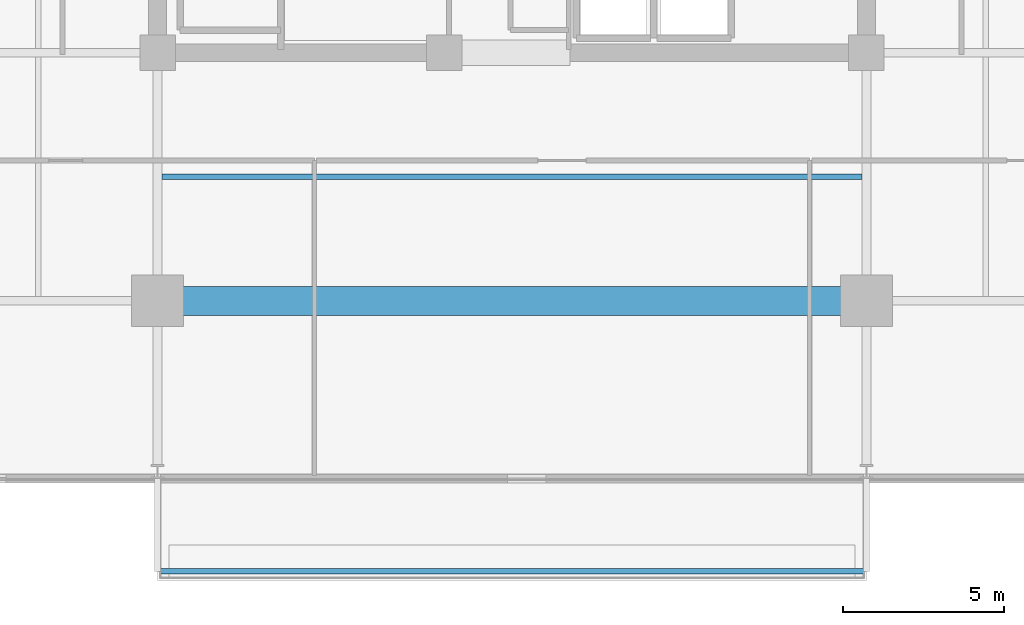
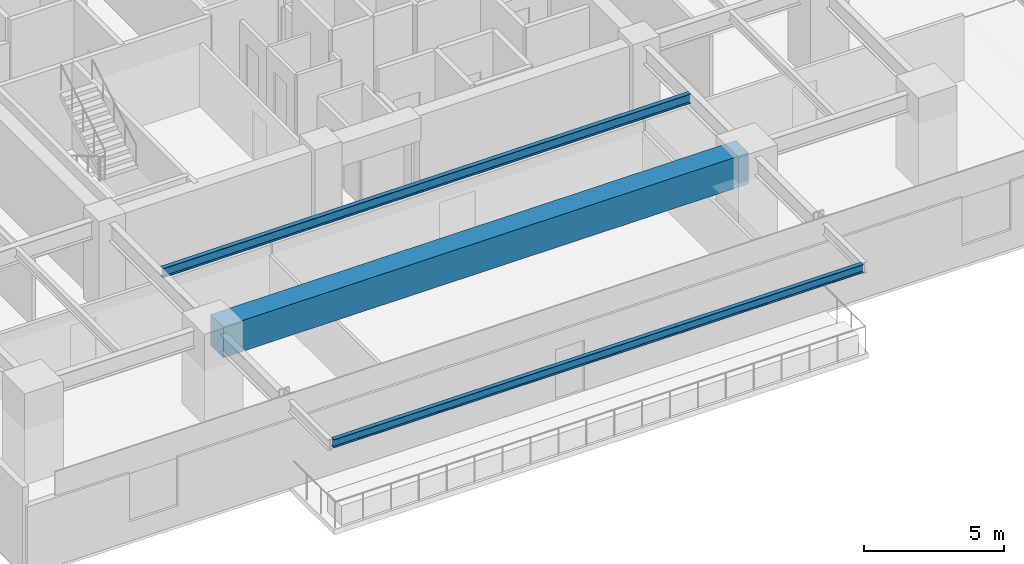
# One storey, part 4 of 21: 3 beams.
"""IFC4 building model written with IfcOpenShell, lengths in metres."""

from ifc_helpers import new_model, si_unit, direction, frame, origin, origin_2d, place, context, subcontext, project, spatial, rectangle, i_section, extrude, material, material_profile, profile_set, type_object, element, save


model = new_model("IFC4")

# Units and contexts
model_context = context("Model", 3, precision=1e-05, world=origin(), true_north=direction((0.0, 1.0)))
body_context = subcontext(model_context, "Body", "Model", "MODEL_VIEW")
ifc_project = project(units=[si_unit("LENGTHUNIT", "METRE"), si_unit("AREAUNIT", "SQUARE_METRE"), si_unit("VOLUMEUNIT", "CUBIC_METRE"), si_unit("PLANEANGLEUNIT", "RADIAN"), si_unit("MASSUNIT", "GRAM", prefix="KILO")], contexts=[model_context])

# Site, building, storey
site_placement = place(None, origin())
site = spatial("IfcSite", under=ifc_project, at=site_placement, CompositionType="ELEMENT")
building_placement = place(site_placement, origin())
building = spatial("IfcBuilding", under=site, at=building_placement, Name="Kovane Verandah Tower", CompositionType="ELEMENT")
storey_placement = place(building_placement, frame((0.0, 0.0, 152.39990234375)))
storey = spatial("IfcBuildingStorey", under=building, at=storey_placement, Name="L35", CompositionType="ELEMENT", Elevation=152.39990234375)

# Beams
ifc_material_1 = material(Name="Concrete C80/95", Category="concrete")
ifc_material_profile_1 = material_profile(ifc_material_1, rectangle(XDim=0.89990234375, YDim=1.35009765625, at=origin_2d()), Name="RCB900x1350")
ifc_profile_set_1 = profile_set([ifc_material_profile_1], Name="Concrete C80/95")
beam_type_1 = type_object("IfcBeamType", Name="BM-TR-900x1350", PredefinedType="BEAM", material=ifc_profile_set_1)
beam_1_placement = place(storey_placement, frame((29.179931640625, 10.800048828125, 3.10009765625), z_axis=(1.0, 0.0, 0.0), x_axis=(0.0, 1.0, 0.0)))
element("IfcBeam", 1, at=beam_1_placement, inside=storey, type_object=beam_type_1, Name="L35 Primary Tower Girder G-RS2", PredefinedType="BEAM", context=body_context, shape_type="SweptSolid", body=[
    extrude(rectangle(XDim=0.89990234375, YDim=1.35009765625, at=origin_2d()), origin(), (0.0, 0.0, 1.0), 21.64013671875),
])
ifc_material_2 = material(Name="Steel S355", Category="steel")
ifc_material_profile_2 = material_profile(ifc_material_2, i_section(OverallWidth=0.179443359375, OverallDepth=0.412841796875, WebThickness=0.009521484375, FlangeThickness=0.01611328125, FilletRadius=0.01025390625, at=origin_2d()), Name="UB406x178x74")
ifc_profile_set_2 = profile_set([ifc_material_profile_2], Name="Steel S355")
beam_type_2 = type_object("IfcBeamType", Name="JST-UB406x74", PredefinedType="JOIST", material=ifc_profile_set_2)
beam_2_placement = place(storey_placement, frame((29.132080078125, 14.64990234375, 3.568603515625), z_axis=(1.0, 0.0, 0.0), x_axis=(0.0, 1.0, 0.0)))
element("IfcBeam", 2, at=beam_2_placement, inside=storey, type_object=beam_type_2, Name="L35 Secondary Composite Joist J-S1", PredefinedType="JOIST", context=body_context, shape_type="SweptSolid", body=[
    extrude(i_section(OverallWidth=0.179443359375, OverallDepth=0.412841796875, WebThickness=0.009521484375, FlangeThickness=0.01611328125, FilletRadius=0.01025390625, at=origin_2d()), origin(), (0.0, 0.0, 1.0), 21.73583984375),
])
ifc_material_profile_3 = material_profile(ifc_material_2, i_section(OverallWidth=0.173095703125, OverallDepth=0.36328125, WebThickness=0.009033203125, FlangeThickness=0.015625, FilletRadius=0.01025390625, at=origin_2d()), Name="UB356x171x67")
ifc_profile_set_3 = profile_set([ifc_material_profile_3], Name="Steel S355")
beam_type_3 = type_object("IfcBeamType", Name="SPD-UB356x67", PredefinedType="USERDEFINED", material=ifc_profile_set_3)
beam_3_placement = place(storey_placement, frame((29.094482421875, 2.40380859375, 3.578369140625), z_axis=(1.0, 0.0, 0.0), x_axis=(0.0, 1.0, 0.0)))
element("IfcBeam", 3, at=beam_3_placement, inside=storey, type_object=beam_type_3, Name="L35 South Planter Edge Spandrel", ObjectType="SPANDREL", PredefinedType="USERDEFINED", context=body_context, shape_type="SweptSolid", body=[
    extrude(i_section(OverallWidth=0.173095703125, OverallDepth=0.36328125, WebThickness=0.009033203125, FlangeThickness=0.015625, FilletRadius=0.01025390625, at=origin_2d()), origin(), (0.0, 0.0, 1.0), 21.81103515625),
])

save(model, "model.ifc")
